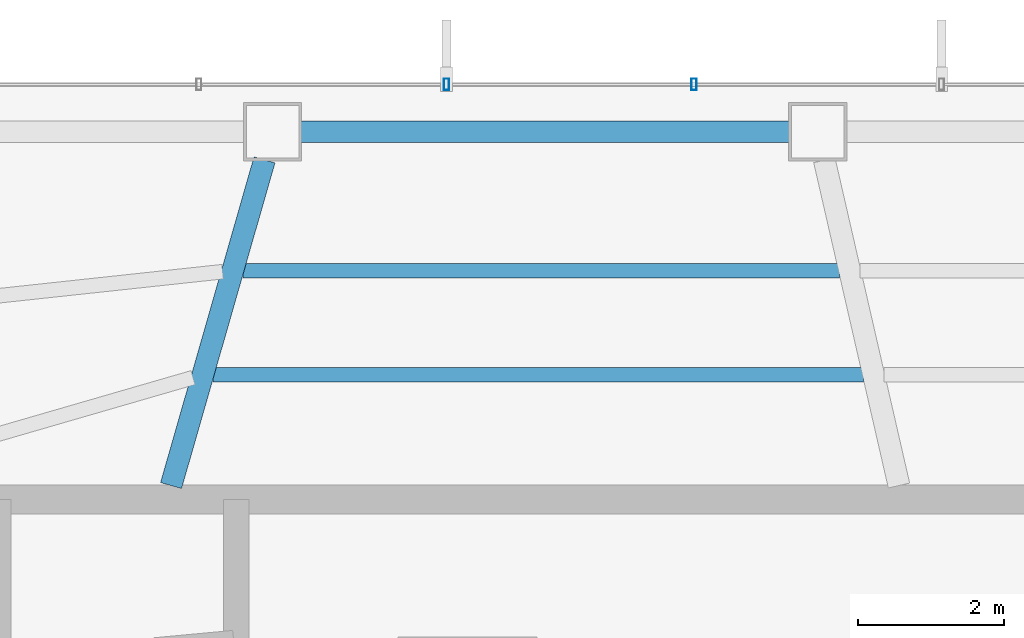
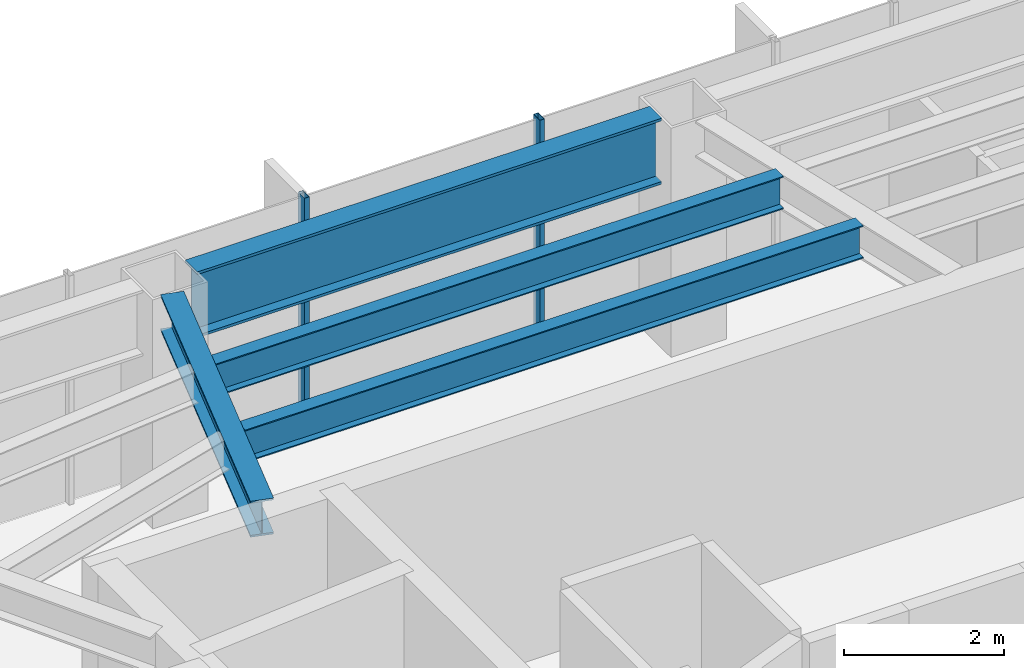
# One storey, part 14 of 29: 4 beams, 2 members, 1 element without a shape of its own.
"""IFC4 building model written with IfcOpenShell, lengths in metres."""

from ifc_helpers import new_model, si_unit, direction, frame, origin, origin_2d, place, context, subcontext, project, spatial, hollow_rectangle, i_section, extrude, material, layer, layer_set, material_profile, profile_set, type_object, element, aggregate, save


model = new_model("IFC4")

# Units and contexts
model_context = context("Model", 3, precision=1e-05, world=origin(), true_north=direction((0.0, 1.0)))
body_context = subcontext(model_context, "Body", "Model", "MODEL_VIEW")
ifc_project = project(units=[si_unit("LENGTHUNIT", "METRE"), si_unit("AREAUNIT", "SQUARE_METRE"), si_unit("VOLUMEUNIT", "CUBIC_METRE"), si_unit("PLANEANGLEUNIT", "RADIAN"), si_unit("MASSUNIT", "GRAM", prefix="KILO")], contexts=[model_context])

# Site, building, storey
site_placement = place(None, origin())
site = spatial("IfcSite", under=ifc_project, at=site_placement, CompositionType="ELEMENT")
building_placement = place(site_placement, origin())
building = spatial("IfcBuilding", under=site, at=building_placement, Name="Zarrinselat Tower", CompositionType="ELEMENT")
storey_placement = place(building_placement, frame((0.0, 0.0, 134.639892578125)))
storey = spatial("IfcBuildingStorey", under=building, at=storey_placement, Name="L32", CompositionType="ELEMENT", Elevation=134.639892578125)

# Beams
ifc_material_1 = material(Name="Steel S355J2", Category="steel")
ifc_material_profile_1 = material_profile(ifc_material_1, i_section(OverallWidth=0.300048828125, OverallDepth=0.550048828125, WebThickness=0.014892578125, FlangeThickness=0.029052734375, at=origin_2d()), Name="HEB 550")
ifc_profile_set_1 = profile_set([ifc_material_profile_1], Name="Steel S355J2")
beam_type_1 = type_object("IfcBeamType", Name="BM-HEB550", PredefinedType="BEAM", material=ifc_profile_set_1)
beam_1_placement = place(storey_placement, frame((31.0, 43.639892578125, 3.22509765625), z_axis=(0.275815605484, 0.961210565782, 0.0), x_axis=(-0.961210565782, 0.275815605484, 0.0)))
element("IfcBeam", 1, at=beam_1_placement, inside=storey, type_object=beam_type_1, Name="L32 Radial Primary Girder RG04", PredefinedType="BEAM", context=body_context, shape_type="SweptSolid", body=[
    extrude(i_section(OverallWidth=0.300048828125, OverallDepth=0.550048828125, WebThickness=0.014892578125, FlangeThickness=0.029052734375, at=origin_2d()), origin(), (0.0, 0.0, 1.0), 4.654052734375),
])
ifc_material_2 = material(Name="Steel S460M", Category="steel")
ifc_material_profile_2 = material_profile(ifc_material_2, i_section(OverallWidth=0.302001953125, OverallDepth=1.008056640625, WebThickness=0.02099609375, FlangeThickness=0.0400390625, at=origin_2d()), Name="HEM 1000")
ifc_profile_set_2 = profile_set([ifc_material_profile_2], Name="Steel S460M")
beam_type_2 = type_object("IfcBeamType", Name="BM-HEM1000", PredefinedType="BEAM", material=ifc_profile_set_2)
beam_2_placement = place(storey_placement, frame((32.782470703125, 48.5, 2.99609375), z_axis=(1.0, 0.0, 0.0), x_axis=(0.0, 1.0, 0.0)))
element("IfcBeam", 2, at=beam_2_placement, inside=storey, type_object=beam_type_2, Name="L32 Perimeter Spandrel Girder SP03", PredefinedType="BEAM", context=body_context, shape_type="SweptSolid", body=[
    extrude(i_section(OverallWidth=0.302001953125, OverallDepth=1.008056640625, WebThickness=0.02099609375, FlangeThickness=0.0400390625, at=origin_2d()), origin(), (0.0, 0.0, 1.0), 6.714111328125),
])
ifc_material_3 = material(Name="Steel S355J2", Category="steel")
ifc_material_profile_3 = material_profile(ifc_material_3, i_section(OverallWidth=0.199951171875, OverallDepth=0.5, WebThickness=0.01025390625, FlangeThickness=0.01611328125, at=origin_2d()), Name="IPE 500")
ifc_profile_set_3 = profile_set([ifc_material_profile_3], Name="Steel S355J2")
beam_type_3 = type_object("IfcBeamType", Name="BM-IPE500", PredefinedType="JOIST", material=ifc_profile_set_3)
beam_3_placement = place(storey_placement, frame((31.9873046875, 46.592529296875, 3.25), z_axis=(0.999999913039, -0.000417038987, 0.0), x_axis=(0.000417038987, 0.999999913039, 0.0)))
element("IfcBeam", 3, at=beam_3_placement, inside=storey, type_object=beam_type_3, Name="L32 Composite Floor Joist 8-1", PredefinedType="JOIST", context=body_context, shape_type="SweptSolid", body=[
    extrude(i_section(OverallWidth=0.199951171875, OverallDepth=0.5, WebThickness=0.01025390625, FlangeThickness=0.01611328125, at=origin_2d()), origin(), (0.0, 0.0, 1.0), 8.19580078125),
])
beam_4_placement = place(storey_placement, frame((31.576416015625, 45.160888671875, 3.25), z_axis=(0.999999981708, -0.000191267279, 0.0), x_axis=(0.000191267279, 0.999999981708, 0.0)))
element("IfcBeam", 4, at=beam_4_placement, inside=storey, type_object=beam_type_3, Name="L32 Composite Floor Joist 8-2", PredefinedType="JOIST", context=body_context, shape_type="SweptSolid", body=[
    extrude(i_section(OverallWidth=0.199951171875, OverallDepth=0.5, WebThickness=0.01025390625, FlangeThickness=0.01611328125, at=origin_2d()), origin(), (0.0, 0.0, 1.0), 8.93505859375),
])

# Curtain wall, members
ifc_material_4 = material(Name="Extruded Aluminium Alloy EN AW-6063 T6", Category="aluminium")
ifc_layer = layer(ifc_material_4, 0.175048828125)
ifc_layer_set = layer_set([ifc_layer], Name="Extruded Aluminium Alloy EN AW-6063 T6")
curtain_wall_type = type_object("IfcCurtainWallType", Name="CWS-HTL", PredefinedType="NOTDEFINED", material=ifc_layer_set)
curtain_wall_placement = place(storey_placement, origin())
curtain_wall = element("IfcCurtainWall", 5, at=curtain_wall_placement, inside=storey, type_object=curtain_wall_type, Name="L32 Unitised Curtain Wall CW-L32-E01", PredefinedType="NOTDEFINED")
ifc_material_5 = material(Name="Extruded Aluminium Alloy EN AW-6063 T6", Category="aluminium")
ifc_material_profile_4 = material_profile(ifc_material_5, hollow_rectangle(XDim=0.070068359375, YDim=0.159912109375, WallThickness=0.00390625, at=origin_2d()), Name="RHS 160x70x4")
ifc_profile_set_4 = profile_set([ifc_material_profile_4], Name="Extruded Aluminium Alloy EN AW-6063 T6")
member_type = type_object("IfcMemberType", Name="MEM-CW-MUL2", PredefinedType="MULLION", material=ifc_profile_set_4)
member_1_placement = place(storey_placement, frame((38.184326171875, 49.14990234375, 0.0), z_axis=(0.0, 0.0, 1.0), x_axis=(-1.0, 0.0, 0.0)))
member_1 = element("IfcMember", 6, at=member_1_placement, type_object=member_type, Name="CW-L32-E01 Mullion 6", PredefinedType="MULLION", context=body_context, shape_type="SweptSolid", body=[
    extrude(hollow_rectangle(XDim=0.070068359375, YDim=0.159912109375, WallThickness=0.00390625, at=origin_2d()), origin(), (0.0, 0.0, 1.0), 3.5),
])
member_2_placement = place(storey_placement, frame((34.78369140625, 49.14990234375, 0.0), z_axis=(0.0, 0.0, 1.0), x_axis=(-1.0, 0.0, 0.0)))
member_2 = element("IfcMember", 7, at=member_2_placement, type_object=member_type, Name="CW-L32-E01 Mullion 7", PredefinedType="MULLION", context=body_context, shape_type="SweptSolid", body=[
    extrude(hollow_rectangle(XDim=0.070068359375, YDim=0.159912109375, WallThickness=0.00390625, at=origin_2d()), origin(), (0.0, 0.0, 1.0), 3.5),
])
aggregate(curtain_wall, [member_1, member_2])

save(model, "model.ifc")
